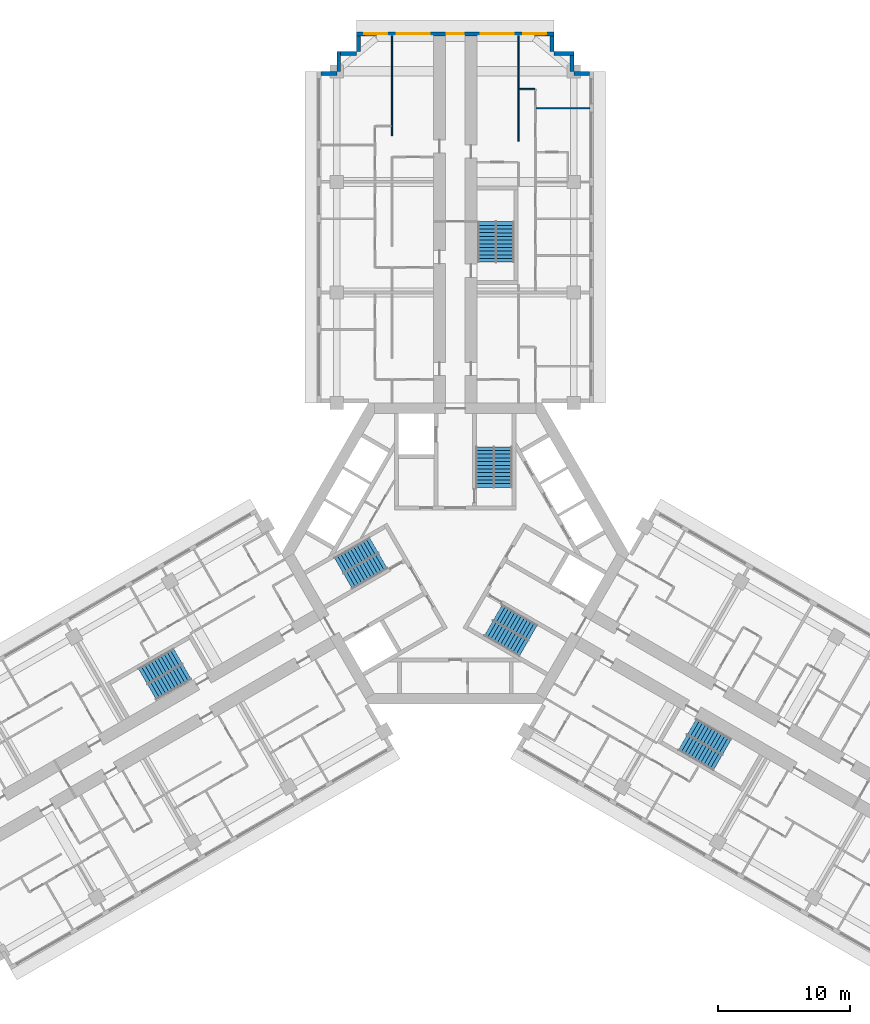
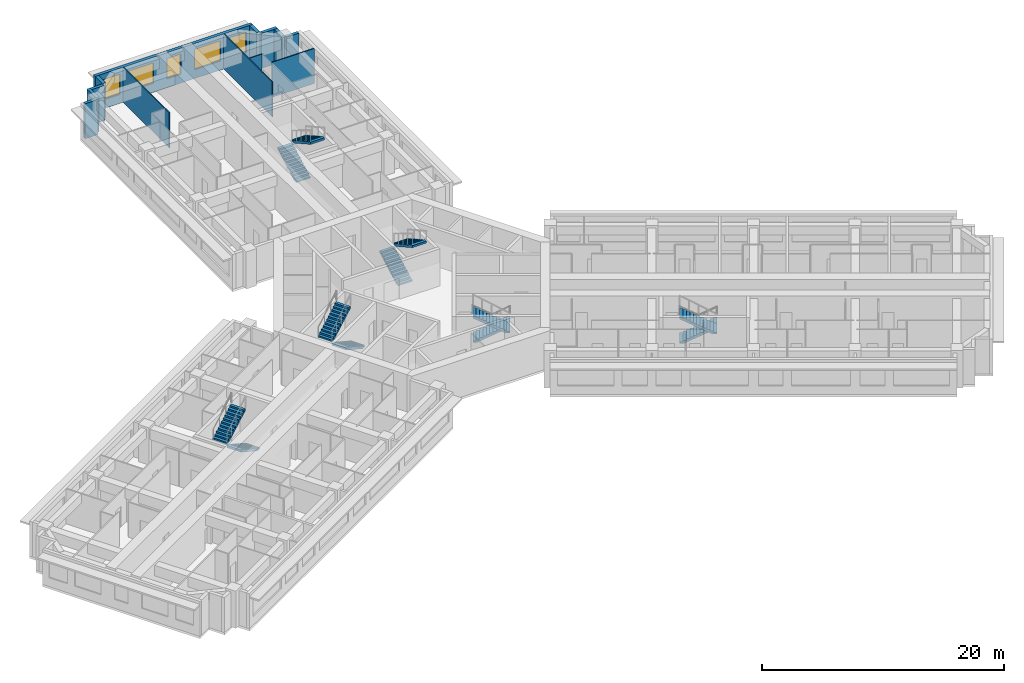
# One storey, part 13 of 14: 13 walls, 12 stair flights, 5 windows, 5 openings, 6 elements without a shape of their own.
"""IFC4 building model written with IfcOpenShell, lengths in metres."""

import ifcopenshell
import ifcopenshell.guid

model = None  # the IFC model being written
_history = None  # IfcOwnerHistory: only IFC2X3 demands one
_inside = {}  # id of a spatial element -> (the spatial element, [elements in it])
_under = {}  # id of a project, library or spatial element -> (it, [spatial elements below it])
_declared = {}  # id of a project -> (the project, [libraries it declares])
_typed = {}  # id of a type object -> (the type object, [elements of that type])
_made_of = {}  # id of a material, layer set ... -> (it, [elements and type objects made of it])


def new_model(schema):
    """Start an empty IFC model of exactly this schema.

    Asked for "IFC4X3", IfcOpenShell would pick the latest addendum, in which some entities
    have other attributes; the version numbers below select the first issue.
    IFC2X3 requires an IfcOwnerHistory on every rooted entity: one is made here for all.
    """
    global model, _history
    if schema == "IFC4X3":
        model = ifcopenshell.file(schema_version=(4, 3, 0, 0))
    else:
        model = ifcopenshell.file(schema=schema)
    _inside.clear()
    _under.clear()
    _declared.clear()
    _typed.clear()
    _made_of.clear()
    _history = None
    if model.schema == "IFC2X3":
        org = make("IfcOrganization", Name="unknown")
        user = make(
            "IfcPersonAndOrganization",
            ThePerson=make("IfcPerson", FamilyName="unknown"),
            TheOrganization=org,
        )
        app = make(
            "IfcApplication",
            ApplicationDeveloper=org,
            Version="unknown",
            ApplicationFullName="unknown",
            ApplicationIdentifier="unknown",
        )
        _history = make(
            "IfcOwnerHistory",
            OwningUser=user,
            OwningApplication=app,
            ChangeAction="ADDED",
            CreationDate=0,
        )
    return model


def make(cls, **values):
    """One entity of the class cls with the attributes given. An attribute that is None is left unset."""
    return model.create_entity(
        cls, **{name: value for name, value in values.items() if value is not None}
    )


def rooted(cls, **values):
    """An entity with a GlobalId (a new one), such as an element, a storey or a relation."""
    return make(cls, GlobalId=ifcopenshell.guid.new(), OwnerHistory=_history, **values)


def si_unit(unit_type, name, prefix=None):
    """IfcSIUnit, for example si_unit("LENGTHUNIT", "METRE", prefix="MILLI")."""
    return make("IfcSIUnit", UnitType=unit_type, Prefix=prefix, Name=name)


def assignment(units):
    """IfcUnitAssignment: the units of a project."""
    return None if units is None else make("IfcUnitAssignment", Units=units)


def point(xyz):
    """IfcCartesianPoint."""
    return None if xyz is None else make("IfcCartesianPoint", Coordinates=xyz)


def direction(xyz):
    """IfcDirection."""
    return None if xyz is None else make("IfcDirection", DirectionRatios=xyz)


def frame(location, z_axis=None, x_axis=None):
    """IfcAxis2Placement3D, a coordinate frame: its origin and axes. An axis left out is left unset."""
    return make(
        "IfcAxis2Placement3D",
        Location=point(location),
        Axis=direction(z_axis),
        RefDirection=direction(x_axis),
    )


def frame_2d(location, x_axis=None):
    """IfcAxis2Placement2D, a coordinate frame in the plane: its origin and x axis."""
    return make(
        "IfcAxis2Placement2D", Location=point(location), RefDirection=direction(x_axis)
    )


def origin():
    """The frame at (0, 0, 0) with its axes left unset."""
    return frame((0.0, 0.0, 0.0))


def place(relative_to, where):
    """IfcLocalPlacement: puts the frame where relative to a parent placement (None: the world)."""
    return make(
        "IfcLocalPlacement", PlacementRelTo=relative_to, RelativePlacement=where
    )


def context(
    kind, dimensions, precision=None, world=None, true_north=None, identifier=None
):
    """IfcGeometricRepresentationContext, for example the 3D "Model" context."""
    return make(
        "IfcGeometricRepresentationContext",
        ContextIdentifier=identifier,
        ContextType=kind,
        CoordinateSpaceDimension=dimensions,
        Precision=precision,
        WorldCoordinateSystem=world,
        TrueNorth=true_north,
    )


def subcontext(parent, identifier, kind, view, scale=None):
    """IfcGeometricRepresentationSubContext, for example "Body" below "Model"."""
    return make(
        "IfcGeometricRepresentationSubContext",
        ContextIdentifier=identifier,
        ContextType=kind,
        ParentContext=parent,
        TargetScale=scale,
        TargetView=view,
    )


def project(units=None, contexts=None):
    """IfcProject with its units and contexts."""
    return rooted(
        "IfcProject",
        Name="project",
        RepresentationContexts=contexts,
        UnitsInContext=assignment(units),
    )


def spatial(cls, under=None, at=None, **own):
    """A site, building, storey or space (cls), placed at a placement, below another one or the project."""
    s = rooted(cls, ObjectPlacement=at, **own)
    if under is not None:
        _under.setdefault(under.id(), (under, []))[1].append(s)
    return s


def polyline(points):
    """IfcPolyline through the points."""
    return make("IfcPolyline", Points=[point(p) for p in points])


def profile(cls, at=None, kind="AREA", **sizes):
    """A parametric profile (cls). Its sizes go by their IFC names, for example OverallWidth=200.0."""
    return make(cls, ProfileType=kind, Position=at, **sizes)


def rectangle(**sizes):
    """IfcRectangleProfileDef."""
    return profile("IfcRectangleProfileDef", **sizes)


def outline(outer, holes=None, kind="AREA"):
    """IfcArbitraryClosedProfileDef: a profile drawn as a closed curve; with holes, ...WithVoids."""
    if holes is None:
        return make("IfcArbitraryClosedProfileDef", ProfileType=kind, OuterCurve=outer)
    return make(
        "IfcArbitraryProfileDefWithVoids",
        ProfileType=kind,
        OuterCurve=outer,
        InnerCurves=holes,
    )


def extrude(swept, where, along, depth):
    """IfcExtrudedAreaSolid: the profile swept, set in the frame where, extruded along a direction by depth."""
    return make(
        "IfcExtrudedAreaSolid",
        SweptArea=swept,
        Position=where,
        ExtrudedDirection=direction(along),
        Depth=depth,
    )


def shape(context_of_items, identifier, shape_type, items):
    """IfcShapeRepresentation: the items that make up one representation, for example the "Body"."""
    return make(
        "IfcShapeRepresentation",
        ContextOfItems=context_of_items,
        RepresentationIdentifier=identifier,
        RepresentationType=shape_type,
        Items=items,
    )


def material(Name=None, Category=None):
    """IfcMaterial."""
    return make("IfcMaterial", Name=Name, Category=Category)


def layer(
    of_material, thickness, ventilated=None, Name=None, Category=None, Priority=None
):
    """IfcMaterialLayer: one layer of a wall or slab, of a material (None: an air gap)."""
    return make(
        "IfcMaterialLayer",
        Material=of_material,
        LayerThickness=thickness,
        IsVentilated=ventilated,
        Name=Name,
        Category=Category,
        Priority=Priority,
    )


def layer_set(layers, Name=None):
    """IfcMaterialLayerSet."""
    return make("IfcMaterialLayerSet", MaterialLayers=layers, LayerSetName=Name)


def made_of(thing, what):
    """Note that an element or type object is made of a material, layer set ...; save() writes the relation."""
    if what is not None:
        _made_of.setdefault(what.id(), (what, []))[1].append(thing)
    return thing


def type_object(cls, material=None, **own):
    """A type object (cls), such as IfcWallType, which elements share."""
    return made_of(rooted(cls, **own), material)


def element(
    cls,
    number,
    at=None,
    inside=None,
    cuts=None,
    type_object=None,
    material=None,
    context=None,
    identifier="Body",
    shape_type=None,
    held_by="IfcProductDefinitionShape",
    body=None,
    shapes=None,
    **own,
):
    """One element of the class cls, such as IfcWall. Its Tag is "e" and its number.

    at: its placement. inside: the storey or other place that contains it. cuts: it is an
    opening in that element (IfcRelVoidsElement). A single representation is given by context,
    identifier, shape_type and body (its items); several are given by shapes. held_by: the class
    of the entity that holds the representations. save() writes the other relations.
    """
    e = rooted(cls, Tag="e%d" % number, ObjectPlacement=at, **own)
    if body is not None:
        shapes = [shape(context, identifier, shape_type, body)]
    if shapes is not None:
        e.Representation = make(held_by, Representations=shapes)
    if inside is not None:
        _inside.setdefault(inside.id(), (inside, []))[1].append(e)
    if cuts is not None:
        rooted(
            "IfcRelVoidsElement", RelatingBuildingElement=cuts, RelatedOpeningElement=e
        )
    if type_object is not None:
        _typed.setdefault(type_object.id(), (type_object, []))[1].append(e)
    return made_of(e, material)


def fill(opening, filler):
    """IfcRelFillsElement: the door or window that sits in an opening."""
    return rooted(
        "IfcRelFillsElement",
        RelatingOpeningElement=opening,
        RelatedBuildingElement=filler,
    )


def aggregate(whole, parts):
    """IfcRelAggregates: a whole, such as a stair, and the parts it consists of."""
    return rooted("IfcRelAggregates", RelatingObject=whole, RelatedObjects=parts)


def save(model, path):
    """Write the relations noted so far, then the file.

    IfcRelAggregates (storeys below a building ...), IfcRelContainedInSpatialStructure (elements
    in a storey), IfcRelDefinesByType, IfcRelAssociatesMaterial and IfcRelDeclares: one each for
    every whole, place, type object, material and project.
    """
    for whole, parts in _under.values():
        aggregate(whole, parts)
    for where, things in _inside.values():
        rooted(
            "IfcRelContainedInSpatialStructure",
            RelatedElements=things,
            RelatingStructure=where,
        )
    for kind, things in _typed.values():
        rooted("IfcRelDefinesByType", RelatedObjects=things, RelatingType=kind)
    for what, things in _made_of.values():
        rooted("IfcRelAssociatesMaterial", RelatedObjects=things, RelatingMaterial=what)
    for by, libraries in _declared.values():
        rooted("IfcRelDeclares", RelatingContext=by, RelatedDefinitions=libraries)
    model.write(path)


model = new_model("IFC4")

# Units and contexts
model_context = context("Model", 3, precision=1e-05, world=origin(), true_north=direction((0.0, 1.0)))
body_context = subcontext(model_context, "Body", "Model", "MODEL_VIEW")
ifc_project = project(units=[si_unit("LENGTHUNIT", "METRE"), si_unit("AREAUNIT", "SQUARE_METRE"), si_unit("VOLUMEUNIT", "CUBIC_METRE"), si_unit("PLANEANGLEUNIT", "RADIAN"), si_unit("MASSUNIT", "GRAM", prefix="KILO")], contexts=[model_context])

# Site, building, storey
site_placement = place(None, origin())
site = spatial("IfcSite", under=ifc_project, at=site_placement, CompositionType="ELEMENT")
building_placement = place(site_placement, origin())
building = spatial("IfcBuilding", under=site, at=building_placement, Name="Impinga Residences", CompositionType="ELEMENT")
storey_placement = place(building_placement, frame((0.0, 0.0, 121.0)))
storey = spatial("IfcBuildingStorey", under=building, at=storey_placement, Name="L29", CompositionType="ELEMENT", Elevation=121.0)

# Walls
ifc_material_1 = material(Name="Terracotta rainscreen on blockwork", Category="masonry")
ifc_layer_1 = layer(ifc_material_1, 0.300048828125)
ifc_layer_set_1 = layer_set([ifc_layer_1], Name="EW1 external wall, terracotta rainscreen on blockwork 300")
wall_type_1 = type_object("IfcWallType", Name="EW1 external wall, terracotta rainscreen on blockwork 300", PredefinedType="SOLIDWALL", material=ifc_layer_set_1)
wall_1_placement = place(storey_placement, frame((-10.199951171875, 36.4814453125, 0.0), z_axis=(0.0, 0.0, 1.0), x_axis=(1.0, 0.0, 0.0)))
element("IfcWall", 1, at=wall_1_placement, inside=storey, type_object=wall_type_1, Name="External wall EW1 L29", PredefinedType="SOLIDWALL", context=body_context, shape_type="SweptSolid", body=[
    extrude(rectangle(XDim=1.199951171875, YDim=0.300048828125, at=frame_2d((0.60009765625, 0.0))), origin(), (0.0, 0.0, 1.0), 3.530029296875),
])
wall_2_placement = place(storey_placement, frame((-8.85009765625, 36.636474609375, 0.0), z_axis=(0.0, 0.0, 1.0), x_axis=(0.0, 1.0, 0.0)))
element("IfcWall", 2, at=wall_2_placement, inside=storey, type_object=wall_type_1, Name="External wall EW1 L29", PredefinedType="SOLIDWALL", context=body_context, shape_type="SweptSolid", body=[
    extrude(rectangle(XDim=1.4951171875, YDim=0.300048828125, at=frame_2d((0.74755859375, 0.0))), origin(), (0.0, 0.0, 1.0), 3.530029296875),
])
wall_3_placement = place(storey_placement, frame((-8.699951171875, 37.9814453125, 0.0), z_axis=(0.0, 0.0, 1.0), x_axis=(1.0, 0.0, 0.0)))
element("IfcWall", 3, at=wall_3_placement, inside=storey, type_object=wall_type_1, Name="External wall EW1 L29", PredefinedType="SOLIDWALL", context=body_context, shape_type="SweptSolid", body=[
    extrude(rectangle(XDim=1.199951171875, YDim=0.300048828125, at=frame_2d((0.60009765625, 0.0))), origin(), (0.0, 0.0, 1.0), 3.530029296875),
])
wall_4_placement = place(storey_placement, frame((-7.35009765625, 38.136474609375, 0.0), z_axis=(0.0, 0.0, 1.0), x_axis=(0.0, 1.0, 0.0)))
element("IfcWall", 4, at=wall_4_placement, inside=storey, type_object=wall_type_1, Name="External wall EW1 L29", PredefinedType="SOLIDWALL", context=body_context, shape_type="SweptSolid", body=[
    extrude(rectangle(XDim=1.195068359375, YDim=0.300048828125, at=frame_2d((0.59765625, 0.0))), origin(), (0.0, 0.0, 1.0), 3.530029296875),
])

# Wall, openings, windows
wall_5_placement = place(storey_placement, frame((-7.5, 39.4814453125, 0.0), z_axis=(0.0, 0.0, 1.0), x_axis=(1.0, 0.0, 0.0)))
wall_5 = element("IfcWall", 5, at=wall_5_placement, inside=storey, type_object=wall_type_1, Name="External wall EW1 L29", PredefinedType="SOLIDWALL", context=body_context, shape_type="SweptSolid", body=[
    extrude(rectangle(XDim=15.0, YDim=0.300048828125, at=frame_2d((7.5, 0.0))), origin(), (0.0, 0.0, 1.0), 3.530029296875),
])
opening_1_placement = place(wall_5_placement, frame((0.60009765625, 0.0, 0.89990234375)))
opening_1 = element("IfcOpeningElement", 6, at=opening_1_placement, cuts=wall_5, Name="Opening W1", PredefinedType="OPENING", context=body_context, shape_type="SweptSolid", body=[
    extrude(rectangle(XDim=1.75, YDim=2.050048828125, at=frame_2d((0.875, 1.02490234375))), frame((0.0, 0.159912109375, 0.0), z_axis=(0.0, -1.0, 0.0), x_axis=(1.0, 0.0, 0.0)), (0.0, 0.0, 1.0), 0.320068359375),
])
opening_2_placement = place(wall_5_placement, frame((3.050048828125, 0.0, 0.89990234375)))
opening_2 = element("IfcOpeningElement", 7, at=opening_2_placement, cuts=wall_5, Name="Opening W2", PredefinedType="OPENING", context=body_context, shape_type="SweptSolid", body=[
    extrude(rectangle(XDim=2.5, YDim=2.050048828125, at=frame_2d((1.25, 1.02490234375))), frame((0.0, 0.159912109375, 0.0), z_axis=(0.0, -1.0, 0.0), x_axis=(1.0, 0.0, 0.0)), (0.0, 0.0, 1.0), 0.320068359375),
])
opening_3_placement = place(wall_5_placement, frame((6.85009765625, 0.0, 0.89990234375)))
opening_3 = element("IfcOpeningElement", 8, at=opening_3_placement, cuts=wall_5, Name="Opening W17", PredefinedType="OPENING", context=body_context, shape_type="SweptSolid", body=[
    extrude(rectangle(XDim=1.300048828125, YDim=2.050048828125, at=frame_2d((0.64990234375, 1.02490234375))), frame((0.0, 0.159912109375, 0.0), z_axis=(0.0, -1.0, 0.0), x_axis=(1.0, 0.0, 0.0)), (0.0, 0.0, 1.0), 0.320068359375),
])
opening_4_placement = place(wall_5_placement, frame((9.449951171875, 0.0, 0.89990234375)))
opening_4 = element("IfcOpeningElement", 9, at=opening_4_placement, cuts=wall_5, Name="Opening W2", PredefinedType="OPENING", context=body_context, shape_type="SweptSolid", body=[
    extrude(rectangle(XDim=2.5, YDim=2.050048828125, at=frame_2d((1.25, 1.02490234375))), frame((0.0, 0.159912109375, 0.0), z_axis=(0.0, -1.0, 0.0), x_axis=(1.0, 0.0, 0.0)), (0.0, 0.0, 1.0), 0.320068359375),
])
opening_5_placement = place(wall_5_placement, frame((12.64990234375, 0.0, 0.89990234375)))
opening_5 = element("IfcOpeningElement", 10, at=opening_5_placement, cuts=wall_5, Name="Opening W1", PredefinedType="OPENING", context=body_context, shape_type="SweptSolid", body=[
    extrude(rectangle(XDim=1.75, YDim=2.050048828125, at=frame_2d((0.875, 1.02490234375))), frame((0.0, 0.159912109375, 0.0), z_axis=(0.0, -1.0, 0.0), x_axis=(1.0, 0.0, 0.0)), (0.0, 0.0, 1.0), 0.320068359375),
])
ifc_material_2 = material(Name="Aluminium window, clear double glazing", Category="aluminium")
window_type_1 = type_object("IfcWindowType", Name="W1 ribbon window 1750x2050", PartitioningType="SINGLE_PANEL", PredefinedType="WINDOW", material=ifc_material_2)
window_1_placement = place(opening_1_placement, origin())
window_1 = element("IfcWindow", 11, at=window_1_placement, inside=storey, type_object=window_type_1, Name="Window L29", OverallHeight=2.050048828125, OverallWidth=1.75, PartitioningType="SINGLE_PANEL", PredefinedType="WINDOW", context=body_context, shape_type="SweptSolid", body=[
    extrude(rectangle(XDim=1.75, YDim=2.050048828125, at=frame_2d((0.875, 1.02490234375))), frame((0.0, 0.030029296875, 0.0), z_axis=(0.0, -1.0, 0.0), x_axis=(1.0, 0.0, 0.0)), (0.0, 0.0, 1.0), 0.06005859375),
])
fill(opening_1, window_1)
window_2_placement = place(opening_5_placement, origin())
window_2 = element("IfcWindow", 12, at=window_2_placement, inside=storey, type_object=window_type_1, Name="Window L29", OverallHeight=2.050048828125, OverallWidth=1.75, PartitioningType="SINGLE_PANEL", PredefinedType="WINDOW", context=body_context, shape_type="SweptSolid", body=[
    extrude(rectangle(XDim=1.75, YDim=2.050048828125, at=frame_2d((0.875, 1.02490234375))), frame((0.0, 0.030029296875, 0.0), z_axis=(0.0, -1.0, 0.0), x_axis=(1.0, 0.0, 0.0)), (0.0, 0.0, 1.0), 0.06005859375),
])
fill(opening_5, window_2)
window_type_2 = type_object("IfcWindowType", Name="W17 ribbon window 1300x2050", PartitioningType="SINGLE_PANEL", PredefinedType="WINDOW", material=ifc_material_2)
window_3_placement = place(opening_3_placement, origin())
window_3 = element("IfcWindow", 13, at=window_3_placement, inside=storey, type_object=window_type_2, Name="Window L29", OverallHeight=2.050048828125, OverallWidth=1.300048828125, PartitioningType="SINGLE_PANEL", PredefinedType="WINDOW", context=body_context, shape_type="SweptSolid", body=[
    extrude(rectangle(XDim=1.300048828125, YDim=2.050048828125, at=frame_2d((0.64990234375, 1.02490234375))), frame((0.0, 0.030029296875, 0.0), z_axis=(0.0, -1.0, 0.0), x_axis=(1.0, 0.0, 0.0)), (0.0, 0.0, 1.0), 0.06005859375),
])
fill(opening_3, window_3)
window_type_3 = type_object("IfcWindowType", Name="W2 ribbon window 2500x2050", PartitioningType="SINGLE_PANEL", PredefinedType="WINDOW", material=ifc_material_2)
window_4_placement = place(opening_2_placement, origin())
window_4 = element("IfcWindow", 14, at=window_4_placement, inside=storey, type_object=window_type_3, Name="Window L29", OverallHeight=2.050048828125, OverallWidth=2.5, PartitioningType="SINGLE_PANEL", PredefinedType="WINDOW", context=body_context, shape_type="SweptSolid", body=[
    extrude(rectangle(XDim=2.5, YDim=2.050048828125, at=frame_2d((1.25, 1.02490234375))), frame((0.0, 0.030029296875, 0.0), z_axis=(0.0, -1.0, 0.0), x_axis=(1.0, 0.0, 0.0)), (0.0, 0.0, 1.0), 0.06005859375),
])
fill(opening_2, window_4)
window_5_placement = place(opening_4_placement, origin())
window_5 = element("IfcWindow", 15, at=window_5_placement, inside=storey, type_object=window_type_3, Name="Window L29", OverallHeight=2.050048828125, OverallWidth=2.5, PartitioningType="SINGLE_PANEL", PredefinedType="WINDOW", context=body_context, shape_type="SweptSolid", body=[
    extrude(rectangle(XDim=2.5, YDim=2.050048828125, at=frame_2d((1.25, 1.02490234375))), frame((0.0, 0.030029296875, 0.0), z_axis=(0.0, -1.0, 0.0), x_axis=(1.0, 0.0, 0.0)), (0.0, 0.0, 1.0), 0.06005859375),
])
fill(opening_4, window_5)

# Walls
wall_6_placement = place(storey_placement, frame((7.35009765625, 39.33154296875, 0.0), z_axis=(0.0, 0.0, 1.0), x_axis=(0.0, -1.0, 0.0)))
element("IfcWall", 16, at=wall_6_placement, inside=storey, type_object=wall_type_1, Name="External wall EW1 L29", PredefinedType="SOLIDWALL", context=body_context, shape_type="SweptSolid", body=[
    extrude(rectangle(XDim=1.195068359375, YDim=0.300048828125, at=frame_2d((0.59765625, 0.0))), origin(), (0.0, 0.0, 1.0), 3.530029296875),
])
wall_7_placement = place(storey_placement, frame((7.5, 37.9814453125, 0.0), z_axis=(0.0, 0.0, 1.0), x_axis=(1.0, 0.0, 0.0)))
element("IfcWall", 17, at=wall_7_placement, inside=storey, type_object=wall_type_1, Name="External wall EW1 L29", PredefinedType="SOLIDWALL", context=body_context, shape_type="SweptSolid", body=[
    extrude(rectangle(XDim=1.5, YDim=0.300048828125, at=frame_2d((0.75, 0.0))), origin(), (0.0, 0.0, 1.0), 3.530029296875),
])
wall_8_placement = place(storey_placement, frame((8.85009765625, 37.83154296875, 0.0), z_axis=(0.0, 0.0, 1.0), x_axis=(0.0, -1.0, 0.0)))
element("IfcWall", 18, at=wall_8_placement, inside=storey, type_object=wall_type_1, Name="External wall EW1 L29", PredefinedType="SOLIDWALL", context=body_context, shape_type="SweptSolid", body=[
    extrude(rectangle(XDim=1.199951171875, YDim=0.300048828125, at=frame_2d((0.60009765625, 0.0))), origin(), (0.0, 0.0, 1.0), 3.530029296875),
])
wall_9_placement = place(storey_placement, frame((9.0048828125, 36.4814453125, 0.0), z_axis=(0.0, 0.0, 1.0), x_axis=(1.0, 0.0, 0.0)))
element("IfcWall", 19, at=wall_9_placement, inside=storey, type_object=wall_type_1, Name="External wall EW1 L29", PredefinedType="SOLIDWALL", context=body_context, shape_type="SweptSolid", body=[
    extrude(rectangle(XDim=1.195068359375, YDim=0.300048828125, at=frame_2d((0.59765625, 0.0))), origin(), (0.0, 0.0, 1.0), 3.530029296875),
])
ifc_material_3 = material(Name="Gypsum board on steel studs", Category="steel")
ifc_layer_2 = layer(ifc_material_3, 0.10009765625)
ifc_layer_set_2 = layer_set([ifc_layer_2], Name="Gypsum board on steel studs")
wall_type_2 = type_object("IfcWallType", Name="IP1 partition 100", PredefinedType="PARTITIONING", material=ifc_layer_set_2)
wall_10_placement = place(storey_placement, frame((-4.800048828125, 31.7314453125, 0.0), z_axis=(0.0, 0.0, 1.0), x_axis=(0.0, 1.0, 0.0)))
element("IfcWall", 20, at=wall_10_placement, inside=storey, type_object=wall_type_2, Name="Partition L29-NA3:DIV1", PredefinedType="PARTITIONING", context=body_context, shape_type="SweptSolid", body=[
    extrude(rectangle(XDim=7.60009765625, YDim=0.10009765625, at=frame_2d((3.800048828125, 0.0))), origin(), (0.0, 0.0, 1.0), 3.530029296875),
])
wall_11_placement = place(storey_placement, frame((4.800048828125, 31.33154296875, 0.0), z_axis=(0.0, 0.0, 1.0), x_axis=(0.0, 1.0, 0.0)))
element("IfcWall", 21, at=wall_11_placement, inside=storey, type_object=wall_type_2, Name="Partition L29-NF2:DIV2", PredefinedType="PARTITIONING", context=body_context, shape_type="SweptSolid", body=[
    extrude(rectangle(XDim=8.0, YDim=0.10009765625, at=frame_2d((4.0, 0.0))), origin(), (0.0, 0.0, 1.0), 3.530029296875),
])
wall_12_placement = place(storey_placement, frame((4.85009765625, 35.281494140625, 0.0), z_axis=(0.0, 0.0, 1.0), x_axis=(1.0, 0.0, 0.0)))
element("IfcWall", 22, at=wall_12_placement, inside=storey, type_object=wall_type_2, Name="Partition L29-NF2:SE1", PredefinedType="PARTITIONING", context=body_context, shape_type="SweptSolid", body=[
    extrude(rectangle(XDim=1.199951171875, YDim=0.10009765625, at=frame_2d((0.60009765625, 0.0))), origin(), (0.0, 0.0, 1.0), 3.530029296875),
])
wall_13_placement = place(storey_placement, frame((6.14990234375, 33.83154296875, 0.0), z_axis=(0.0, 0.0, 1.0), x_axis=(1.0, 0.0, 0.0)))
element("IfcWall", 23, at=wall_13_placement, inside=storey, type_object=wall_type_2, Name="Partition L29-NF2:OB4", PredefinedType="PARTITIONING", context=body_context, shape_type="SweptSolid", body=[
    extrude(rectangle(XDim=4.050048828125, YDim=0.10009765625, at=frame_2d((2.02490234375, 0.0))), origin(), (0.0, 0.0, 1.0), 3.530029296875),
])

# Stair, stair flights
ifc_material_4 = material(Name="Concrete C40/50", Category="concrete")
stair_type_1 = type_object("IfcStairType", Name="STR core stair 3750 storey, 24 risers", PredefinedType="HALF_TURN_STAIR", material=ifc_material_4)
stair_1_placement = place(storey_placement, origin())
stair_1 = element("IfcStair", 24, at=stair_1_placement, inside=storey, type_object=stair_type_1, Name="Stair ST1 L29", PredefinedType="HALF_TURN_STAIR")
stair_flight_type = type_object("IfcStairFlightType", Name="SF 12 risers of 156", PredefinedType="STRAIGHT", material=ifc_material_4)
stair_flight_1_placement = place(storey_placement, frame((2.27490234375, 5.030029296875, 0.0), z_axis=(0.0, 0.0, 1.0), x_axis=(0.0, 1.0, 0.0)))
stair_flight_1 = element("IfcStairFlight", 25, at=stair_flight_1_placement, type_object=stair_flight_type, Name="ST1 flight 1", NumberOfRisers=12, NumberOfTreads=11, PredefinedType="STRAIGHT", RiserHeight=0.15625, TreadLength=0.28, context=body_context, shape_type="SweptSolid", body=[
    extrude(outline(polyline([(0.0, 0.0), (0.0, 0.15625), (0.280029296875, 0.15625), (0.280029296875, 0.3125), (0.56005859375, 0.3125), (0.56005859375, 0.46875), (0.840087890625, 0.46875), (0.840087890625, 0.625), (1.1201171875, 0.625), (1.1201171875, 0.78125), (1.39990234375, 0.78125), (1.39990234375, 0.9375), (1.679931640625, 0.9375), (1.679931640625, 1.09375), (1.9599609375, 1.09375), (1.9599609375, 1.25), (2.239990234375, 1.25), (2.239990234375, 1.40625), (2.52001953125, 1.40625), (2.52001953125, 1.5625), (2.800048828125, 1.5625), (2.800048828125, 1.71875), (3.080078125, 1.71875), (3.080078125, 1.875), (3.080078125, 1.5126953125), (0.369140625, 0.0), (0.0, 0.0)])), frame((0.0, 0.675048828125, 0.0), z_axis=(0.0, -1.0, 0.0), x_axis=(1.0, 0.0, 0.0)), (0.0, 0.0, 1.0), 1.35009765625),
])
stair_flight_2_placement = place(storey_placement, frame((3.625, 8.110107421875, 1.875), z_axis=(0.0, 0.0, 1.0), x_axis=(0.0, -1.0, 0.0)))
stair_flight_2 = element("IfcStairFlight", 26, at=stair_flight_2_placement, type_object=stair_flight_type, Name="ST1 flight 2", NumberOfRisers=12, NumberOfTreads=11, PredefinedType="STRAIGHT", RiserHeight=0.15625, TreadLength=0.28, context=body_context, shape_type="SweptSolid", body=[
    extrude(outline(polyline([(0.0, 0.0), (0.0, 0.15625), (0.280029296875, 0.15625), (0.280029296875, 0.3125), (0.56005859375, 0.3125), (0.56005859375, 0.46875), (0.840087890625, 0.46875), (0.840087890625, 0.625), (1.1201171875, 0.625), (1.1201171875, 0.78125), (1.39990234375, 0.78125), (1.39990234375, 0.9375), (1.679931640625, 0.9375), (1.679931640625, 1.09375), (1.9599609375, 1.09375), (1.9599609375, 1.25), (2.239990234375, 1.25), (2.239990234375, 1.40625), (2.52001953125, 1.40625), (2.52001953125, 1.5625), (2.800048828125, 1.5625), (2.800048828125, 1.71875), (3.080078125, 1.71875), (3.080078125, 1.875), (3.080078125, 1.5126953125), (0.369140625, 0.0), (0.0, 0.0)])), frame((0.0, 0.675048828125, 0.0), z_axis=(0.0, -1.0, 0.0), x_axis=(1.0, 0.0, 0.0)), (0.0, 0.0, 1.0), 1.35009765625),
])
aggregate(stair_1, [stair_flight_1, stair_flight_2])

stair_2_placement = place(storey_placement, origin())
stair_2 = element("IfcStair", 27, at=stair_2_placement, inside=storey, type_object=stair_type_1, Name="Stair ST2 L29", PredefinedType="HALF_TURN_STAIR")
stair_flight_3_placement = place(storey_placement, frame((-5.49365234375, -0.544677734375, 0.0), z_axis=(0.0, 0.0, 1.0), x_axis=(-0.866025403784, -0.5, 0.0)))
stair_flight_3 = element("IfcStairFlight", 28, at=stair_flight_3_placement, type_object=stair_flight_type, Name="ST2 flight 1", NumberOfRisers=12, NumberOfTreads=11, PredefinedType="STRAIGHT", RiserHeight=0.15625, TreadLength=0.28, context=body_context, shape_type="SweptSolid", body=[
    extrude(outline(polyline([(0.0, 0.0), (0.0, 0.15625), (0.280029296875, 0.15625), (0.280029296875, 0.3125), (0.56005859375, 0.3125), (0.56005859375, 0.46875), (0.840087890625, 0.46875), (0.840087890625, 0.625), (1.1201171875, 0.625), (1.1201171875, 0.78125), (1.39990234375, 0.78125), (1.39990234375, 0.9375), (1.679931640625, 0.9375), (1.679931640625, 1.09375), (1.9599609375, 1.09375), (1.9599609375, 1.25), (2.239990234375, 1.25), (2.239990234375, 1.40625), (2.52001953125, 1.40625), (2.52001953125, 1.5625), (2.800048828125, 1.5625), (2.800048828125, 1.71875), (3.080078125, 1.71875), (3.080078125, 1.875), (3.080078125, 1.5126953125), (0.369140625, 0.0), (0.0, 0.0)])), frame((0.0, 0.675048828125, 0.0), z_axis=(0.0, -1.0, 0.0), x_axis=(1.0, 0.0, 0.0)), (0.0, 0.0, 1.0), 1.35009765625),
])
stair_flight_4_placement = place(storey_placement, frame((-8.8359375, -0.915771484375, 1.875), z_axis=(0.0, 0.0, 1.0), x_axis=(0.866025403784, 0.5, 0.0)))
stair_flight_4 = element("IfcStairFlight", 29, at=stair_flight_4_placement, type_object=stair_flight_type, Name="ST2 flight 2", NumberOfRisers=12, NumberOfTreads=11, PredefinedType="STRAIGHT", RiserHeight=0.15625, TreadLength=0.28, context=body_context, shape_type="SweptSolid", body=[
    extrude(outline(polyline([(0.0, 0.0), (0.0, 0.15625), (0.280029296875, 0.15625), (0.280029296875, 0.3125), (0.56005859375, 0.3125), (0.56005859375, 0.46875), (0.840087890625, 0.46875), (0.840087890625, 0.625), (1.1201171875, 0.625), (1.1201171875, 0.78125), (1.39990234375, 0.78125), (1.39990234375, 0.9375), (1.679931640625, 0.9375), (1.679931640625, 1.09375), (1.9599609375, 1.09375), (1.9599609375, 1.25), (2.239990234375, 1.25), (2.239990234375, 1.40625), (2.52001953125, 1.40625), (2.52001953125, 1.5625), (2.800048828125, 1.5625), (2.800048828125, 1.71875), (3.080078125, 1.71875), (3.080078125, 1.875), (3.080078125, 1.5126953125), (0.369140625, 0.0), (0.0, 0.0)])), frame((0.0, 0.675048828125, 0.0), z_axis=(0.0, -1.0, 0.0), x_axis=(1.0, 0.0, 0.0)), (0.0, 0.0, 1.0), 1.35009765625),
])
aggregate(stair_2, [stair_flight_3, stair_flight_4])

stair_3_placement = place(storey_placement, origin())
stair_3 = element("IfcStair", 30, at=stair_3_placement, inside=storey, type_object=stair_type_1, Name="Stair ST3 L29", PredefinedType="HALF_TURN_STAIR")
stair_flight_5_placement = place(storey_placement, frame((3.218505859375, -4.485107421875, 0.0), z_axis=(0.0, 0.0, 1.0), x_axis=(0.866025403784, -0.5, 0.0)))
stair_flight_5 = element("IfcStairFlight", 31, at=stair_flight_5_placement, type_object=stair_flight_type, Name="ST3 flight 1", NumberOfRisers=12, NumberOfTreads=11, PredefinedType="STRAIGHT", RiserHeight=0.15625, TreadLength=0.28, context=body_context, shape_type="SweptSolid", body=[
    extrude(outline(polyline([(0.0, 0.0), (0.0, 0.15625), (0.280029296875, 0.15625), (0.280029296875, 0.3125), (0.56005859375, 0.3125), (0.56005859375, 0.46875), (0.840087890625, 0.46875), (0.840087890625, 0.625), (1.1201171875, 0.625), (1.1201171875, 0.78125), (1.39990234375, 0.78125), (1.39990234375, 0.9375), (1.679931640625, 0.9375), (1.679931640625, 1.09375), (1.9599609375, 1.09375), (1.9599609375, 1.25), (2.239990234375, 1.25), (2.239990234375, 1.40625), (2.52001953125, 1.40625), (2.52001953125, 1.5625), (2.800048828125, 1.5625), (2.800048828125, 1.71875), (3.080078125, 1.71875), (3.080078125, 1.875), (3.080078125, 1.5126953125), (0.369140625, 0.0), (0.0, 0.0)])), frame((0.0, 0.675048828125, 0.0), z_axis=(0.0, -1.0, 0.0), x_axis=(1.0, 0.0, 0.0)), (0.0, 0.0, 1.0), 1.35009765625),
])
stair_flight_6_placement = place(storey_placement, frame((5.2109375, -7.1943359375, 1.875), z_axis=(0.0, 0.0, 1.0), x_axis=(-0.866025403784, 0.5, 0.0)))
stair_flight_6 = element("IfcStairFlight", 32, at=stair_flight_6_placement, type_object=stair_flight_type, Name="ST3 flight 2", NumberOfRisers=12, NumberOfTreads=11, PredefinedType="STRAIGHT", RiserHeight=0.15625, TreadLength=0.28, context=body_context, shape_type="SweptSolid", body=[
    extrude(outline(polyline([(0.0, 0.0), (0.0, 0.15625), (0.280029296875, 0.15625), (0.280029296875, 0.3125), (0.56005859375, 0.3125), (0.56005859375, 0.46875), (0.840087890625, 0.46875), (0.840087890625, 0.625), (1.1201171875, 0.625), (1.1201171875, 0.78125), (1.39990234375, 0.78125), (1.39990234375, 0.9375), (1.679931640625, 0.9375), (1.679931640625, 1.09375), (1.9599609375, 1.09375), (1.9599609375, 1.25), (2.239990234375, 1.25), (2.239990234375, 1.40625), (2.52001953125, 1.40625), (2.52001953125, 1.5625), (2.800048828125, 1.5625), (2.800048828125, 1.71875), (3.080078125, 1.71875), (3.080078125, 1.875), (3.080078125, 1.5126953125), (0.369140625, 0.0), (0.0, 0.0)])), frame((0.0, 0.675048828125, 0.0), z_axis=(0.0, -1.0, 0.0), x_axis=(1.0, 0.0, 0.0)), (0.0, 0.0, 1.0), 1.35009765625),
])
aggregate(stair_3, [stair_flight_5, stair_flight_6])

stair_type_2 = type_object("IfcStairType", Name="STR wing stair 3750 storey, 24 risers", PredefinedType="HALF_TURN_STAIR", material=ifc_material_4)
stair_4_placement = place(storey_placement, origin())
stair_4 = element("IfcStair", 33, at=stair_4_placement, inside=storey, type_object=stair_type_2, Name="Stair WS1 L29", PredefinedType="HALF_TURN_STAIR")
stair_flight_7_placement = place(storey_placement, frame((2.425048828125, 22.131591796875, 0.0), z_axis=(0.0, 0.0, 1.0), x_axis=(0.0, 1.0, 0.0)))
stair_flight_7 = element("IfcStairFlight", 34, at=stair_flight_7_placement, type_object=stair_flight_type, Name="WS1 flight 1", NumberOfRisers=12, NumberOfTreads=11, PredefinedType="STRAIGHT", RiserHeight=0.15625, TreadLength=0.28, context=body_context, shape_type="SweptSolid", body=[
    extrude(outline(polyline([(0.0, 0.0), (0.0, 0.15625), (0.280029296875, 0.15625), (0.280029296875, 0.3125), (0.56005859375, 0.3125), (0.56005859375, 0.46875), (0.840087890625, 0.46875), (0.840087890625, 0.625), (1.1201171875, 0.625), (1.1201171875, 0.78125), (1.39990234375, 0.78125), (1.39990234375, 0.9375), (1.679931640625, 0.9375), (1.679931640625, 1.09375), (1.9599609375, 1.09375), (1.9599609375, 1.25), (2.239990234375, 1.25), (2.239990234375, 1.40625), (2.52001953125, 1.40625), (2.52001953125, 1.5625), (2.800048828125, 1.5625), (2.800048828125, 1.71875), (3.080078125, 1.71875), (3.080078125, 1.875), (3.080078125, 1.5126953125), (0.369140625, 0.0), (0.0, 0.0)])), frame((0.0, 0.675048828125, 0.0), z_axis=(0.0, -1.0, 0.0), x_axis=(1.0, 0.0, 0.0)), (0.0, 0.0, 1.0), 1.35009765625),
])
stair_flight_8_placement = place(storey_placement, frame((3.77490234375, 25.21142578125, 1.875), z_axis=(0.0, 0.0, 1.0), x_axis=(0.0, -1.0, 0.0)))
stair_flight_8 = element("IfcStairFlight", 35, at=stair_flight_8_placement, type_object=stair_flight_type, Name="WS1 flight 2", NumberOfRisers=12, NumberOfTreads=11, PredefinedType="STRAIGHT", RiserHeight=0.15625, TreadLength=0.28, context=body_context, shape_type="SweptSolid", body=[
    extrude(outline(polyline([(0.0, 0.0), (0.0, 0.15625), (0.280029296875, 0.15625), (0.280029296875, 0.3125), (0.56005859375, 0.3125), (0.56005859375, 0.46875), (0.840087890625, 0.46875), (0.840087890625, 0.625), (1.1201171875, 0.625), (1.1201171875, 0.78125), (1.39990234375, 0.78125), (1.39990234375, 0.9375), (1.679931640625, 0.9375), (1.679931640625, 1.09375), (1.9599609375, 1.09375), (1.9599609375, 1.25), (2.239990234375, 1.25), (2.239990234375, 1.40625), (2.52001953125, 1.40625), (2.52001953125, 1.5625), (2.800048828125, 1.5625), (2.800048828125, 1.71875), (3.080078125, 1.71875), (3.080078125, 1.875), (3.080078125, 1.5126953125), (0.369140625, 0.0), (0.0, 0.0)])), frame((0.0, 0.675048828125, 0.0), z_axis=(0.0, -1.0, 0.0), x_axis=(1.0, 0.0, 0.0)), (0.0, 0.0, 1.0), 1.35009765625),
])
aggregate(stair_4, [stair_flight_7, stair_flight_8])

stair_5_placement = place(storey_placement, origin())
stair_5 = element("IfcStair", 36, at=stair_5_placement, inside=storey, type_object=stair_type_2, Name="Stair WS2 L29", PredefinedType="HALF_TURN_STAIR")
stair_flight_9_placement = place(storey_placement, frame((-20.37890625, -8.965576171875, 0.0), z_axis=(0.0, 0.0, 1.0), x_axis=(-0.866025403784, -0.5, 0.0)))
stair_flight_9 = element("IfcStairFlight", 37, at=stair_flight_9_placement, type_object=stair_flight_type, Name="WS2 flight 1", NumberOfRisers=12, NumberOfTreads=11, PredefinedType="STRAIGHT", RiserHeight=0.15625, TreadLength=0.28, context=body_context, shape_type="SweptSolid", body=[
    extrude(outline(polyline([(0.0, 0.0), (0.0, 0.15625), (0.280029296875, 0.15625), (0.280029296875, 0.3125), (0.56005859375, 0.3125), (0.56005859375, 0.46875), (0.840087890625, 0.46875), (0.840087890625, 0.625), (1.1201171875, 0.625), (1.1201171875, 0.78125), (1.39990234375, 0.78125), (1.39990234375, 0.9375), (1.679931640625, 0.9375), (1.679931640625, 1.09375), (1.9599609375, 1.09375), (1.9599609375, 1.25), (2.239990234375, 1.25), (2.239990234375, 1.40625), (2.52001953125, 1.40625), (2.52001953125, 1.5625), (2.800048828125, 1.5625), (2.800048828125, 1.71875), (3.080078125, 1.71875), (3.080078125, 1.875), (3.080078125, 1.5126953125), (0.369140625, 0.0), (0.0, 0.0)])), frame((0.0, 0.675048828125, 0.0), z_axis=(0.0, -1.0, 0.0), x_axis=(1.0, 0.0, 0.0)), (0.0, 0.0, 1.0), 1.35009765625),
])
stair_flight_10_placement = place(storey_placement, frame((-23.721435546875, -9.33642578125, 1.875), z_axis=(0.0, 0.0, 1.0), x_axis=(0.866025403784, 0.5, 0.0)))
stair_flight_10 = element("IfcStairFlight", 38, at=stair_flight_10_placement, type_object=stair_flight_type, Name="WS2 flight 2", NumberOfRisers=12, NumberOfTreads=11, PredefinedType="STRAIGHT", RiserHeight=0.15625, TreadLength=0.28, context=body_context, shape_type="SweptSolid", body=[
    extrude(outline(polyline([(0.0, 0.0), (0.0, 0.15625), (0.280029296875, 0.15625), (0.280029296875, 0.3125), (0.56005859375, 0.3125), (0.56005859375, 0.46875), (0.840087890625, 0.46875), (0.840087890625, 0.625), (1.1201171875, 0.625), (1.1201171875, 0.78125), (1.39990234375, 0.78125), (1.39990234375, 0.9375), (1.679931640625, 0.9375), (1.679931640625, 1.09375), (1.9599609375, 1.09375), (1.9599609375, 1.25), (2.239990234375, 1.25), (2.239990234375, 1.40625), (2.52001953125, 1.40625), (2.52001953125, 1.5625), (2.800048828125, 1.5625), (2.800048828125, 1.71875), (3.080078125, 1.71875), (3.080078125, 1.875), (3.080078125, 1.5126953125), (0.369140625, 0.0), (0.0, 0.0)])), frame((0.0, 0.675048828125, 0.0), z_axis=(0.0, -1.0, 0.0), x_axis=(1.0, 0.0, 0.0)), (0.0, 0.0, 1.0), 1.35009765625),
])
aggregate(stair_5, [stair_flight_9, stair_flight_10])

stair_6_placement = place(storey_placement, origin())
stair_6 = element("IfcStair", 39, at=stair_6_placement, inside=storey, type_object=stair_type_2, Name="Stair WS3 L29", PredefinedType="HALF_TURN_STAIR")
stair_flight_11_placement = place(storey_placement, frame((17.953857421875, -13.165771484375, 0.0), z_axis=(0.0, 0.0, 1.0), x_axis=(0.866025403784, -0.5, 0.0)))
stair_flight_11 = element("IfcStairFlight", 40, at=stair_flight_11_placement, type_object=stair_flight_type, Name="WS3 flight 1", NumberOfRisers=12, NumberOfTreads=11, PredefinedType="STRAIGHT", RiserHeight=0.15625, TreadLength=0.28, context=body_context, shape_type="SweptSolid", body=[
    extrude(outline(polyline([(0.0, 0.0), (0.0, 0.15625), (0.280029296875, 0.15625), (0.280029296875, 0.3125), (0.56005859375, 0.3125), (0.56005859375, 0.46875), (0.840087890625, 0.46875), (0.840087890625, 0.625), (1.1201171875, 0.625), (1.1201171875, 0.78125), (1.39990234375, 0.78125), (1.39990234375, 0.9375), (1.679931640625, 0.9375), (1.679931640625, 1.09375), (1.9599609375, 1.09375), (1.9599609375, 1.25), (2.239990234375, 1.25), (2.239990234375, 1.40625), (2.52001953125, 1.40625), (2.52001953125, 1.5625), (2.800048828125, 1.5625), (2.800048828125, 1.71875), (3.080078125, 1.71875), (3.080078125, 1.875), (3.080078125, 1.5126953125), (0.369140625, 0.0), (0.0, 0.0)])), frame((0.0, 0.675048828125, 0.0), z_axis=(0.0, -1.0, 0.0), x_axis=(1.0, 0.0, 0.0)), (0.0, 0.0, 1.0), 1.35009765625),
])
stair_flight_12_placement = place(storey_placement, frame((19.9462890625, -15.875, 1.875), z_axis=(0.0, 0.0, 1.0), x_axis=(-0.866025403784, 0.5, 0.0)))
stair_flight_12 = element("IfcStairFlight", 41, at=stair_flight_12_placement, type_object=stair_flight_type, Name="WS3 flight 2", NumberOfRisers=12, NumberOfTreads=11, PredefinedType="STRAIGHT", RiserHeight=0.15625, TreadLength=0.28, context=body_context, shape_type="SweptSolid", body=[
    extrude(outline(polyline([(0.0, 0.0), (0.0, 0.15625), (0.280029296875, 0.15625), (0.280029296875, 0.3125), (0.56005859375, 0.3125), (0.56005859375, 0.46875), (0.840087890625, 0.46875), (0.840087890625, 0.625), (1.1201171875, 0.625), (1.1201171875, 0.78125), (1.39990234375, 0.78125), (1.39990234375, 0.9375), (1.679931640625, 0.9375), (1.679931640625, 1.09375), (1.9599609375, 1.09375), (1.9599609375, 1.25), (2.239990234375, 1.25), (2.239990234375, 1.40625), (2.52001953125, 1.40625), (2.52001953125, 1.5625), (2.800048828125, 1.5625), (2.800048828125, 1.71875), (3.080078125, 1.71875), (3.080078125, 1.875), (3.080078125, 1.5126953125), (0.369140625, 0.0), (0.0, 0.0)])), frame((0.0, 0.675048828125, 0.0), z_axis=(0.0, -1.0, 0.0), x_axis=(1.0, 0.0, 0.0)), (0.0, 0.0, 1.0), 1.35009765625),
])
aggregate(stair_6, [stair_flight_11, stair_flight_12])

save(model, "model.ifc")
